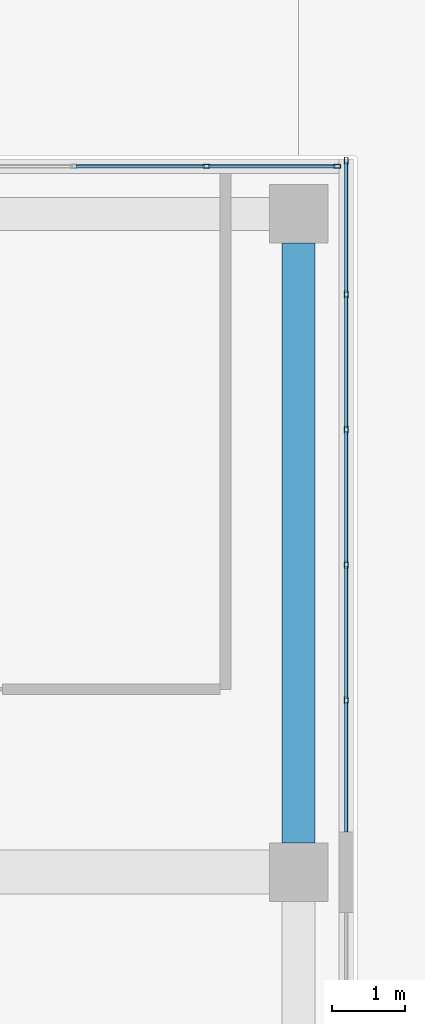
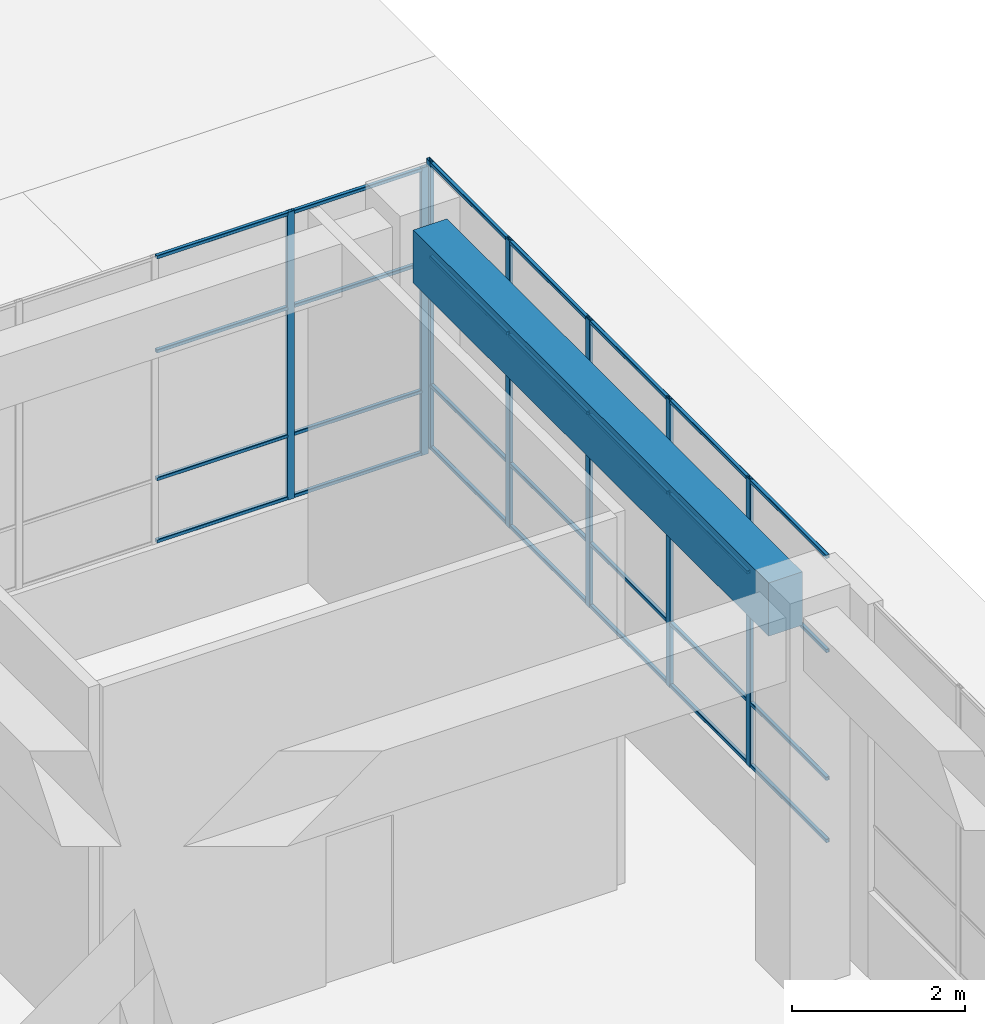
# One storey, part 41 of 72: 35 members, 1 beam, 2 elements without a shape of their own.
"""IFC4 building model written with IfcOpenShell, lengths in metres."""

from ifc_helpers import new_model, si_unit, direction, frame, origin, origin_2d, place, context, subcontext, project, spatial, rectangle, hollow_rectangle, extrude, material, layer, layer_set, material_profile, profile_set, type_object, element, aggregate, save


model = new_model("IFC4")

# Units and contexts
model_context = context("Model", 3, precision=1e-05, world=origin(), true_north=direction((0.0, 1.0)))
body_context = subcontext(model_context, "Body", "Model", "MODEL_VIEW")
ifc_project = project(units=[si_unit("LENGTHUNIT", "METRE"), si_unit("AREAUNIT", "SQUARE_METRE"), si_unit("VOLUMEUNIT", "CUBIC_METRE"), si_unit("PLANEANGLEUNIT", "RADIAN"), si_unit("MASSUNIT", "GRAM", prefix="KILO")], contexts=[model_context])

# Site, building, storey
site_placement = place(None, origin())
site = spatial("IfcSite", under=ifc_project, at=site_placement, CompositionType="ELEMENT")
building_placement = place(site_placement, origin())
building = spatial("IfcBuilding", under=site, at=building_placement, Name="Tuart Plaza Theatre", CompositionType="ELEMENT")
storey_placement = place(building_placement, origin())
storey = spatial("IfcBuildingStorey", under=building, at=storey_placement, Name="L00", CompositionType="ELEMENT", Elevation=0.0)

# Beam
ifc_material_1 = material(Name="Concrete N40 (40 MPa)", Category="concrete")
ifc_material_profile_1 = material_profile(ifc_material_1, rectangle(XDim=0.449951171875, YDim=0.75, at=origin_2d()), Name="BEAM 450x750 Concrete N40 (40 MPa)")
ifc_profile_set_1 = profile_set([ifc_material_profile_1], Name="Concrete N40 (40 MPa)")
beam_type = type_object("IfcBeamType", Name="BEAM 450x750 Concrete N40 (40 MPa)", PredefinedType="BEAM", material=ifc_profile_set_1)
beam_placement = place(storey_placement, frame((150.0, 83.39990234375, 4.875), z_axis=(0.0, 1.0, 0.0), x_axis=(-1.0, 0.0, 0.0)))
element("IfcBeam", 1, at=beam_placement, inside=storey, type_object=beam_type, Name="RB161", PredefinedType="BEAM", context=body_context, shape_type="SweptSolid", body=[
    extrude(rectangle(XDim=0.449951171875, YDim=0.75, at=origin_2d()), origin(), (0.0, 0.0, 1.0), 8.2001953125),
])

# Curtain wall, members
ifc_material_2 = material(Name="Aluminium and glass", Category="aluminium")
ifc_layer_1 = layer(ifc_material_2, 0.10009765625)
ifc_layer_set_1 = layer_set([ifc_layer_1], Name="CURTAIN WALL 2000 module")
curtain_wall_type_1 = type_object("IfcCurtainWallType", Name="CURTAIN WALL 2000 module", PredefinedType="NOTDEFINED", material=ifc_layer_set_1)
curtain_wall_1_placement = place(storey_placement, origin())
curtain_wall_1 = element("IfcCurtainWall", 2, at=curtain_wall_1_placement, inside=storey, type_object=curtain_wall_type_1, Name="CW51", PredefinedType="NOTDEFINED")
ifc_material_3 = material(Name="Aluminium 6063-T5", Category="aluminium")
ifc_material_profile_2 = material_profile(ifc_material_3, hollow_rectangle(XDim=0.050048828125, YDim=0.10009765625, WallThickness=0.00390625, InnerFilletRadius=0.00390625, OuterFilletRadius=0.008056640625, at=origin_2d()), Name="RHS 100x50x4")
ifc_profile_set_2 = profile_set([ifc_material_profile_2], Name="Aluminium 6063-T5")
member_type_1 = type_object("IfcMemberType", Name="MULLION RHS 100x50x4", PredefinedType="MULLION", material=ifc_profile_set_2)
member_1_placement = place(storey_placement, frame((150.64990234375, 85.35009765625, 1.199951171875), z_axis=(0.0, 0.0, 1.0), x_axis=(-1.0, 0.0, 0.0)))
member_1 = element("IfcMember", 3, at=member_1_placement, type_object=member_type_1, Name="CW51 mullion 2", PredefinedType="MULLION", context=body_context, shape_type="SweptSolid", body=[
    extrude(hollow_rectangle(XDim=0.050048828125, YDim=0.10009765625, WallThickness=0.00390625, InnerFilletRadius=0.00390625, OuterFilletRadius=0.008056640625, at=origin_2d()), origin(), (0.0, 0.0, 1.0), 4.050048828125),
])
member_2_placement = place(storey_placement, frame((150.64990234375, 87.199951171875, 1.199951171875), z_axis=(0.0, 0.0, 1.0), x_axis=(-1.0, 0.0, 0.0)))
member_2 = element("IfcMember", 4, at=member_2_placement, type_object=member_type_1, Name="CW51 mullion 3", PredefinedType="MULLION", context=body_context, shape_type="SweptSolid", body=[
    extrude(hollow_rectangle(XDim=0.050048828125, YDim=0.10009765625, WallThickness=0.00390625, InnerFilletRadius=0.00390625, OuterFilletRadius=0.008056640625, at=origin_2d()), origin(), (0.0, 0.0, 1.0), 4.050048828125),
])
member_3_placement = place(storey_placement, frame((150.64990234375, 89.050048828125, 1.199951171875), z_axis=(0.0, 0.0, 1.0), x_axis=(-1.0, 0.0, 0.0)))
member_3 = element("IfcMember", 5, at=member_3_placement, type_object=member_type_1, Name="CW51 mullion 4", PredefinedType="MULLION", context=body_context, shape_type="SweptSolid", body=[
    extrude(hollow_rectangle(XDim=0.050048828125, YDim=0.10009765625, WallThickness=0.00390625, InnerFilletRadius=0.00390625, OuterFilletRadius=0.008056640625, at=origin_2d()), origin(), (0.0, 0.0, 1.0), 4.050048828125),
])
member_4_placement = place(storey_placement, frame((150.64990234375, 90.89990234375, 1.199951171875), z_axis=(0.0, 0.0, 1.0), x_axis=(-1.0, 0.0, 0.0)))
member_4 = element("IfcMember", 6, at=member_4_placement, type_object=member_type_1, Name="CW51 mullion 5", PredefinedType="MULLION", context=body_context, shape_type="SweptSolid", body=[
    extrude(hollow_rectangle(XDim=0.050048828125, YDim=0.10009765625, WallThickness=0.00390625, InnerFilletRadius=0.00390625, OuterFilletRadius=0.008056640625, at=origin_2d()), origin(), (0.0, 0.0, 1.0), 4.050048828125),
])
member_5_placement = place(storey_placement, frame((150.64990234375, 92.72509765625, 1.199951171875), z_axis=(0.0, 0.0, 1.0), x_axis=(-1.0, 0.0, 0.0)))
member_5 = element("IfcMember", 7, at=member_5_placement, type_object=member_type_1, Name="CW51 mullion 6", PredefinedType="MULLION", context=body_context, shape_type="SweptSolid", body=[
    extrude(hollow_rectangle(XDim=0.050048828125, YDim=0.10009765625, WallThickness=0.00390625, InnerFilletRadius=0.00390625, OuterFilletRadius=0.008056640625, at=origin_2d()), origin(), (0.0, 0.0, 1.0), 4.050048828125),
])

ifc_material_4 = material(Name="Aluminium and glass", Category="aluminium")
ifc_layer_2 = layer(ifc_material_4, 0.10009765625)
ifc_layer_set_2 = layer_set([ifc_layer_2], Name="CURTAIN WALL 1800 module")
curtain_wall_type_2 = type_object("IfcCurtainWallType", Name="CURTAIN WALL 1800 module", PredefinedType="NOTDEFINED", material=ifc_layer_set_2)
curtain_wall_2_placement = place(storey_placement, origin())
curtain_wall_2 = element("IfcCurtainWall", 8, at=curtain_wall_2_placement, inside=storey, type_object=curtain_wall_type_2, Name="CW52", PredefinedType="NOTDEFINED")
member_6_placement = place(storey_placement, frame((150.52490234375, 92.64990234375, 1.199951171875), z_axis=(0.0, 0.0, 1.0), x_axis=(0.0, -1.0, 0.0)))
member_6 = element("IfcMember", 9, at=member_6_placement, type_object=member_type_1, Name="CW52 mullion 1", PredefinedType="MULLION", context=body_context, shape_type="SweptSolid", body=[
    extrude(hollow_rectangle(XDim=0.050048828125, YDim=0.10009765625, WallThickness=0.00390625, InnerFilletRadius=0.00390625, OuterFilletRadius=0.008056640625, at=origin_2d()), origin(), (0.0, 0.0, 1.0), 4.050048828125),
])
member_7_placement = place(storey_placement, frame((148.739990234375, 92.64990234375, 1.199951171875), z_axis=(0.0, 0.0, 1.0), x_axis=(0.0, -1.0, 0.0)))
member_7 = element("IfcMember", 10, at=member_7_placement, type_object=member_type_1, Name="CW52 mullion 2", PredefinedType="MULLION", context=body_context, shape_type="SweptSolid", body=[
    extrude(hollow_rectangle(XDim=0.050048828125, YDim=0.10009765625, WallThickness=0.00390625, InnerFilletRadius=0.00390625, OuterFilletRadius=0.008056640625, at=origin_2d()), origin(), (0.0, 0.0, 1.0), 4.050048828125),
])

# Member
ifc_material_5 = material(Name="Aluminium 6063-T5", Category="aluminium")
ifc_material_profile_3 = material_profile(ifc_material_5, hollow_rectangle(XDim=0.050048828125, YDim=0.050048828125, WallThickness=0.00390625, InnerFilletRadius=0.00390625, OuterFilletRadius=0.008056640625, at=origin_2d()), Name="RHS 50x50x4")
ifc_profile_set_3 = profile_set([ifc_material_profile_3], Name="Aluminium 6063-T5")
member_type_2 = type_object("IfcMemberType", Name="TRANSOM RHS 50x50x4", PredefinedType="USERDEFINED", material=ifc_profile_set_3)
member_8_placement = place(storey_placement, frame((150.64990234375, 83.550048828125, 1.22509765625), z_axis=(0.0, 1.0, 0.0), x_axis=(-1.0, 0.0, 0.0)))
member_8 = element("IfcMember", 11, at=member_8_placement, type_object=member_type_2, Name="CW51 transom 1.1", ObjectType="TRANSOM", PredefinedType="USERDEFINED", context=body_context, shape_type="SweptSolid", body=[
    extrude(hollow_rectangle(XDim=0.050048828125, YDim=0.050048828125, WallThickness=0.00390625, InnerFilletRadius=0.00390625, OuterFilletRadius=0.008056640625, at=origin_2d()), origin(), (0.0, 0.0, 1.0), 1.77490234375),
])

member_9_placement = place(storey_placement, frame((150.64990234375, 83.550048828125, 2.10009765625), z_axis=(0.0, 1.0, 0.0), x_axis=(-1.0, 0.0, 0.0)))
member_9 = element("IfcMember", 12, at=member_9_placement, type_object=member_type_2, Name="CW51 transom 1.2", ObjectType="TRANSOM", PredefinedType="USERDEFINED", context=body_context, shape_type="SweptSolid", body=[
    extrude(hollow_rectangle(XDim=0.050048828125, YDim=0.050048828125, WallThickness=0.00390625, InnerFilletRadius=0.00390625, OuterFilletRadius=0.008056640625, at=origin_2d()), origin(), (0.0, 0.0, 1.0), 1.77490234375),
])

member_10_placement = place(storey_placement, frame((150.64990234375, 83.550048828125, 3.89990234375), z_axis=(0.0, 1.0, 0.0), x_axis=(-1.0, 0.0, 0.0)))
member_10 = element("IfcMember", 13, at=member_10_placement, type_object=member_type_2, Name="CW51 transom 1.3", ObjectType="TRANSOM", PredefinedType="USERDEFINED", context=body_context, shape_type="SweptSolid", body=[
    extrude(hollow_rectangle(XDim=0.050048828125, YDim=0.050048828125, WallThickness=0.00390625, InnerFilletRadius=0.00390625, OuterFilletRadius=0.008056640625, at=origin_2d()), origin(), (0.0, 0.0, 1.0), 1.77490234375),
])

member_11_placement = place(storey_placement, frame((150.64990234375, 83.550048828125, 5.22509765625), z_axis=(0.0, 1.0, 0.0), x_axis=(-1.0, 0.0, 0.0)))
member_11 = element("IfcMember", 14, at=member_11_placement, type_object=member_type_2, Name="CW51 transom 1.4", ObjectType="TRANSOM", PredefinedType="USERDEFINED", context=body_context, shape_type="SweptSolid", body=[
    extrude(hollow_rectangle(XDim=0.050048828125, YDim=0.050048828125, WallThickness=0.00390625, InnerFilletRadius=0.00390625, OuterFilletRadius=0.008056640625, at=origin_2d()), origin(), (0.0, 0.0, 1.0), 1.77490234375),
])

member_12_placement = place(storey_placement, frame((150.64990234375, 85.375, 1.22509765625), z_axis=(0.0, 1.0, 0.0), x_axis=(-1.0, 0.0, 0.0)))
member_12 = element("IfcMember", 15, at=member_12_placement, type_object=member_type_2, Name="CW51 transom 2.1", ObjectType="TRANSOM", PredefinedType="USERDEFINED", context=body_context, shape_type="SweptSolid", body=[
    extrude(hollow_rectangle(XDim=0.050048828125, YDim=0.050048828125, WallThickness=0.00390625, InnerFilletRadius=0.00390625, OuterFilletRadius=0.008056640625, at=origin_2d()), origin(), (0.0, 0.0, 1.0), 1.800048828125),
])

member_13_placement = place(storey_placement, frame((150.64990234375, 85.375, 2.10009765625), z_axis=(0.0, 1.0, 0.0), x_axis=(-1.0, 0.0, 0.0)))
member_13 = element("IfcMember", 16, at=member_13_placement, type_object=member_type_2, Name="CW51 transom 2.2", ObjectType="TRANSOM", PredefinedType="USERDEFINED", context=body_context, shape_type="SweptSolid", body=[
    extrude(hollow_rectangle(XDim=0.050048828125, YDim=0.050048828125, WallThickness=0.00390625, InnerFilletRadius=0.00390625, OuterFilletRadius=0.008056640625, at=origin_2d()), origin(), (0.0, 0.0, 1.0), 1.800048828125),
])

member_14_placement = place(storey_placement, frame((150.64990234375, 85.375, 3.89990234375), z_axis=(0.0, 1.0, 0.0), x_axis=(-1.0, 0.0, 0.0)))
member_14 = element("IfcMember", 17, at=member_14_placement, type_object=member_type_2, Name="CW51 transom 2.3", ObjectType="TRANSOM", PredefinedType="USERDEFINED", context=body_context, shape_type="SweptSolid", body=[
    extrude(hollow_rectangle(XDim=0.050048828125, YDim=0.050048828125, WallThickness=0.00390625, InnerFilletRadius=0.00390625, OuterFilletRadius=0.008056640625, at=origin_2d()), origin(), (0.0, 0.0, 1.0), 1.800048828125),
])

member_15_placement = place(storey_placement, frame((150.64990234375, 85.375, 5.22509765625), z_axis=(0.0, 1.0, 0.0), x_axis=(-1.0, 0.0, 0.0)))
member_15 = element("IfcMember", 18, at=member_15_placement, type_object=member_type_2, Name="CW51 transom 2.4", ObjectType="TRANSOM", PredefinedType="USERDEFINED", context=body_context, shape_type="SweptSolid", body=[
    extrude(hollow_rectangle(XDim=0.050048828125, YDim=0.050048828125, WallThickness=0.00390625, InnerFilletRadius=0.00390625, OuterFilletRadius=0.008056640625, at=origin_2d()), origin(), (0.0, 0.0, 1.0), 1.800048828125),
])

member_16_placement = place(storey_placement, frame((150.64990234375, 87.22509765625, 1.22509765625), z_axis=(0.0, 1.0, 0.0), x_axis=(-1.0, 0.0, 0.0)))
member_16 = element("IfcMember", 19, at=member_16_placement, type_object=member_type_2, Name="CW51 transom 3.1", ObjectType="TRANSOM", PredefinedType="USERDEFINED", context=body_context, shape_type="SweptSolid", body=[
    extrude(hollow_rectangle(XDim=0.050048828125, YDim=0.050048828125, WallThickness=0.00390625, InnerFilletRadius=0.00390625, OuterFilletRadius=0.008056640625, at=origin_2d()), origin(), (0.0, 0.0, 1.0), 1.7998046875),
])

member_17_placement = place(storey_placement, frame((150.64990234375, 87.22509765625, 2.10009765625), z_axis=(0.0, 1.0, 0.0), x_axis=(-1.0, 0.0, 0.0)))
member_17 = element("IfcMember", 20, at=member_17_placement, type_object=member_type_2, Name="CW51 transom 3.2", ObjectType="TRANSOM", PredefinedType="USERDEFINED", context=body_context, shape_type="SweptSolid", body=[
    extrude(hollow_rectangle(XDim=0.050048828125, YDim=0.050048828125, WallThickness=0.00390625, InnerFilletRadius=0.00390625, OuterFilletRadius=0.008056640625, at=origin_2d()), origin(), (0.0, 0.0, 1.0), 1.7998046875),
])

member_18_placement = place(storey_placement, frame((150.64990234375, 87.22509765625, 3.89990234375), z_axis=(0.0, 1.0, 0.0), x_axis=(-1.0, 0.0, 0.0)))
member_18 = element("IfcMember", 21, at=member_18_placement, type_object=member_type_2, Name="CW51 transom 3.3", ObjectType="TRANSOM", PredefinedType="USERDEFINED", context=body_context, shape_type="SweptSolid", body=[
    extrude(hollow_rectangle(XDim=0.050048828125, YDim=0.050048828125, WallThickness=0.00390625, InnerFilletRadius=0.00390625, OuterFilletRadius=0.008056640625, at=origin_2d()), origin(), (0.0, 0.0, 1.0), 1.7998046875),
])

member_19_placement = place(storey_placement, frame((150.64990234375, 87.22509765625, 5.22509765625), z_axis=(0.0, 1.0, 0.0), x_axis=(-1.0, 0.0, 0.0)))
member_19 = element("IfcMember", 22, at=member_19_placement, type_object=member_type_2, Name="CW51 transom 3.4", ObjectType="TRANSOM", PredefinedType="USERDEFINED", context=body_context, shape_type="SweptSolid", body=[
    extrude(hollow_rectangle(XDim=0.050048828125, YDim=0.050048828125, WallThickness=0.00390625, InnerFilletRadius=0.00390625, OuterFilletRadius=0.008056640625, at=origin_2d()), origin(), (0.0, 0.0, 1.0), 1.7998046875),
])

member_20_placement = place(storey_placement, frame((150.64990234375, 89.074951171875, 1.22509765625), z_axis=(0.0, 1.0, 0.0), x_axis=(-1.0, 0.0, 0.0)))
member_20 = element("IfcMember", 23, at=member_20_placement, type_object=member_type_2, Name="CW51 transom 4.1", ObjectType="TRANSOM", PredefinedType="USERDEFINED", context=body_context, shape_type="SweptSolid", body=[
    extrude(hollow_rectangle(XDim=0.050048828125, YDim=0.050048828125, WallThickness=0.00390625, InnerFilletRadius=0.00390625, OuterFilletRadius=0.008056640625, at=origin_2d()), origin(), (0.0, 0.0, 1.0), 1.800048828125),
])

member_21_placement = place(storey_placement, frame((150.64990234375, 89.074951171875, 2.10009765625), z_axis=(0.0, 1.0, 0.0), x_axis=(-1.0, 0.0, 0.0)))
member_21 = element("IfcMember", 24, at=member_21_placement, type_object=member_type_2, Name="CW51 transom 4.2", ObjectType="TRANSOM", PredefinedType="USERDEFINED", context=body_context, shape_type="SweptSolid", body=[
    extrude(hollow_rectangle(XDim=0.050048828125, YDim=0.050048828125, WallThickness=0.00390625, InnerFilletRadius=0.00390625, OuterFilletRadius=0.008056640625, at=origin_2d()), origin(), (0.0, 0.0, 1.0), 1.800048828125),
])

member_22_placement = place(storey_placement, frame((150.64990234375, 89.074951171875, 3.89990234375), z_axis=(0.0, 1.0, 0.0), x_axis=(-1.0, 0.0, 0.0)))
member_22 = element("IfcMember", 25, at=member_22_placement, type_object=member_type_2, Name="CW51 transom 4.3", ObjectType="TRANSOM", PredefinedType="USERDEFINED", context=body_context, shape_type="SweptSolid", body=[
    extrude(hollow_rectangle(XDim=0.050048828125, YDim=0.050048828125, WallThickness=0.00390625, InnerFilletRadius=0.00390625, OuterFilletRadius=0.008056640625, at=origin_2d()), origin(), (0.0, 0.0, 1.0), 1.800048828125),
])

member_23_placement = place(storey_placement, frame((150.64990234375, 89.074951171875, 5.22509765625), z_axis=(0.0, 1.0, 0.0), x_axis=(-1.0, 0.0, 0.0)))
member_23 = element("IfcMember", 26, at=member_23_placement, type_object=member_type_2, Name="CW51 transom 4.4", ObjectType="TRANSOM", PredefinedType="USERDEFINED", context=body_context, shape_type="SweptSolid", body=[
    extrude(hollow_rectangle(XDim=0.050048828125, YDim=0.050048828125, WallThickness=0.00390625, InnerFilletRadius=0.00390625, OuterFilletRadius=0.008056640625, at=origin_2d()), origin(), (0.0, 0.0, 1.0), 1.800048828125),
])

member_24_placement = place(storey_placement, frame((150.64990234375, 90.925048828125, 1.22509765625), z_axis=(0.0, 1.0, 0.0), x_axis=(-1.0, 0.0, 0.0)))
member_24 = element("IfcMember", 27, at=member_24_placement, type_object=member_type_2, Name="CW51 transom 5.1", ObjectType="TRANSOM", PredefinedType="USERDEFINED", context=body_context, shape_type="SweptSolid", body=[
    extrude(hollow_rectangle(XDim=0.050048828125, YDim=0.050048828125, WallThickness=0.00390625, InnerFilletRadius=0.00390625, OuterFilletRadius=0.008056640625, at=origin_2d()), origin(), (0.0, 0.0, 1.0), 1.77490234375),
])

member_25_placement = place(storey_placement, frame((150.64990234375, 90.925048828125, 2.10009765625), z_axis=(0.0, 1.0, 0.0), x_axis=(-1.0, 0.0, 0.0)))
member_25 = element("IfcMember", 28, at=member_25_placement, type_object=member_type_2, Name="CW51 transom 5.2", ObjectType="TRANSOM", PredefinedType="USERDEFINED", context=body_context, shape_type="SweptSolid", body=[
    extrude(hollow_rectangle(XDim=0.050048828125, YDim=0.050048828125, WallThickness=0.00390625, InnerFilletRadius=0.00390625, OuterFilletRadius=0.008056640625, at=origin_2d()), origin(), (0.0, 0.0, 1.0), 1.77490234375),
])

member_26_placement = place(storey_placement, frame((150.64990234375, 90.925048828125, 3.89990234375), z_axis=(0.0, 1.0, 0.0), x_axis=(-1.0, 0.0, 0.0)))
member_26 = element("IfcMember", 29, at=member_26_placement, type_object=member_type_2, Name="CW51 transom 5.3", ObjectType="TRANSOM", PredefinedType="USERDEFINED", context=body_context, shape_type="SweptSolid", body=[
    extrude(hollow_rectangle(XDim=0.050048828125, YDim=0.050048828125, WallThickness=0.00390625, InnerFilletRadius=0.00390625, OuterFilletRadius=0.008056640625, at=origin_2d()), origin(), (0.0, 0.0, 1.0), 1.77490234375),
])

member_27_placement = place(storey_placement, frame((150.64990234375, 90.925048828125, 5.22509765625), z_axis=(0.0, 1.0, 0.0), x_axis=(-1.0, 0.0, 0.0)))
member_27 = element("IfcMember", 30, at=member_27_placement, type_object=member_type_2, Name="CW51 transom 5.4", ObjectType="TRANSOM", PredefinedType="USERDEFINED", context=body_context, shape_type="SweptSolid", body=[
    extrude(hollow_rectangle(XDim=0.050048828125, YDim=0.050048828125, WallThickness=0.00390625, InnerFilletRadius=0.00390625, OuterFilletRadius=0.008056640625, at=origin_2d()), origin(), (0.0, 0.0, 1.0), 1.77490234375),
])

aggregate(curtain_wall_1, [member_1, member_2, member_3, member_4, member_5, member_8, member_9, member_10, member_11, member_12, member_13, member_14, member_15, member_16, member_17, member_18, member_19, member_20, member_21, member_22, member_23, member_24, member_25, member_26, member_27])

member_28_placement = place(storey_placement, frame((150.5, 92.64990234375, 1.22509765625), z_axis=(-1.0, 0.0, 0.0), x_axis=(0.0, -1.0, 0.0)))
member_28 = element("IfcMember", 31, at=member_28_placement, type_object=member_type_2, Name="CW52 transom 1.1", ObjectType="TRANSOM", PredefinedType="USERDEFINED", context=body_context, shape_type="SweptSolid", body=[
    extrude(hollow_rectangle(XDim=0.050048828125, YDim=0.050048828125, WallThickness=0.00390625, InnerFilletRadius=0.00390625, OuterFilletRadius=0.008056640625, at=origin_2d()), origin(), (0.0, 0.0, 1.0), 1.735107421875),
])

member_29_placement = place(storey_placement, frame((150.5, 92.64990234375, 2.10009765625), z_axis=(-1.0, 0.0, 0.0), x_axis=(0.0, -1.0, 0.0)))
member_29 = element("IfcMember", 32, at=member_29_placement, type_object=member_type_2, Name="CW52 transom 1.2", ObjectType="TRANSOM", PredefinedType="USERDEFINED", context=body_context, shape_type="SweptSolid", body=[
    extrude(hollow_rectangle(XDim=0.050048828125, YDim=0.050048828125, WallThickness=0.00390625, InnerFilletRadius=0.00390625, OuterFilletRadius=0.008056640625, at=origin_2d()), origin(), (0.0, 0.0, 1.0), 1.735107421875),
])

member_30_placement = place(storey_placement, frame((150.5, 92.64990234375, 3.89990234375), z_axis=(-1.0, 0.0, 0.0), x_axis=(0.0, -1.0, 0.0)))
member_30 = element("IfcMember", 33, at=member_30_placement, type_object=member_type_2, Name="CW52 transom 1.3", ObjectType="TRANSOM", PredefinedType="USERDEFINED", context=body_context, shape_type="SweptSolid", body=[
    extrude(hollow_rectangle(XDim=0.050048828125, YDim=0.050048828125, WallThickness=0.00390625, InnerFilletRadius=0.00390625, OuterFilletRadius=0.008056640625, at=origin_2d()), origin(), (0.0, 0.0, 1.0), 1.735107421875),
])

member_31_placement = place(storey_placement, frame((150.5, 92.64990234375, 5.22509765625), z_axis=(-1.0, 0.0, 0.0), x_axis=(0.0, -1.0, 0.0)))
member_31 = element("IfcMember", 34, at=member_31_placement, type_object=member_type_2, Name="CW52 transom 1.4", ObjectType="TRANSOM", PredefinedType="USERDEFINED", context=body_context, shape_type="SweptSolid", body=[
    extrude(hollow_rectangle(XDim=0.050048828125, YDim=0.050048828125, WallThickness=0.00390625, InnerFilletRadius=0.00390625, OuterFilletRadius=0.008056640625, at=origin_2d()), origin(), (0.0, 0.0, 1.0), 1.735107421875),
])

member_32_placement = place(storey_placement, frame((148.715087890625, 92.64990234375, 1.22509765625), z_axis=(-1.0, 0.0, 0.0), x_axis=(0.0, -1.0, 0.0)))
member_32 = element("IfcMember", 35, at=member_32_placement, type_object=member_type_2, Name="CW52 transom 2.1", ObjectType="TRANSOM", PredefinedType="USERDEFINED", context=body_context, shape_type="SweptSolid", body=[
    extrude(hollow_rectangle(XDim=0.050048828125, YDim=0.050048828125, WallThickness=0.00390625, InnerFilletRadius=0.00390625, OuterFilletRadius=0.008056640625, at=origin_2d()), origin(), (0.0, 0.0, 1.0), 1.760009765625),
])

member_33_placement = place(storey_placement, frame((148.715087890625, 92.64990234375, 2.10009765625), z_axis=(-1.0, 0.0, 0.0), x_axis=(0.0, -1.0, 0.0)))
member_33 = element("IfcMember", 36, at=member_33_placement, type_object=member_type_2, Name="CW52 transom 2.2", ObjectType="TRANSOM", PredefinedType="USERDEFINED", context=body_context, shape_type="SweptSolid", body=[
    extrude(hollow_rectangle(XDim=0.050048828125, YDim=0.050048828125, WallThickness=0.00390625, InnerFilletRadius=0.00390625, OuterFilletRadius=0.008056640625, at=origin_2d()), origin(), (0.0, 0.0, 1.0), 1.760009765625),
])

member_34_placement = place(storey_placement, frame((148.715087890625, 92.64990234375, 3.89990234375), z_axis=(-1.0, 0.0, 0.0), x_axis=(0.0, -1.0, 0.0)))
member_34 = element("IfcMember", 37, at=member_34_placement, type_object=member_type_2, Name="CW52 transom 2.3", ObjectType="TRANSOM", PredefinedType="USERDEFINED", context=body_context, shape_type="SweptSolid", body=[
    extrude(hollow_rectangle(XDim=0.050048828125, YDim=0.050048828125, WallThickness=0.00390625, InnerFilletRadius=0.00390625, OuterFilletRadius=0.008056640625, at=origin_2d()), origin(), (0.0, 0.0, 1.0), 1.760009765625),
])

member_35_placement = place(storey_placement, frame((148.715087890625, 92.64990234375, 5.22509765625), z_axis=(-1.0, 0.0, 0.0), x_axis=(0.0, -1.0, 0.0)))
member_35 = element("IfcMember", 38, at=member_35_placement, type_object=member_type_2, Name="CW52 transom 2.4", ObjectType="TRANSOM", PredefinedType="USERDEFINED", context=body_context, shape_type="SweptSolid", body=[
    extrude(hollow_rectangle(XDim=0.050048828125, YDim=0.050048828125, WallThickness=0.00390625, InnerFilletRadius=0.00390625, OuterFilletRadius=0.008056640625, at=origin_2d()), origin(), (0.0, 0.0, 1.0), 1.760009765625),
])

aggregate(curtain_wall_2, [member_6, member_7, member_28, member_29, member_30, member_31, member_32, member_33, member_34, member_35])

save(model, "model.ifc")
